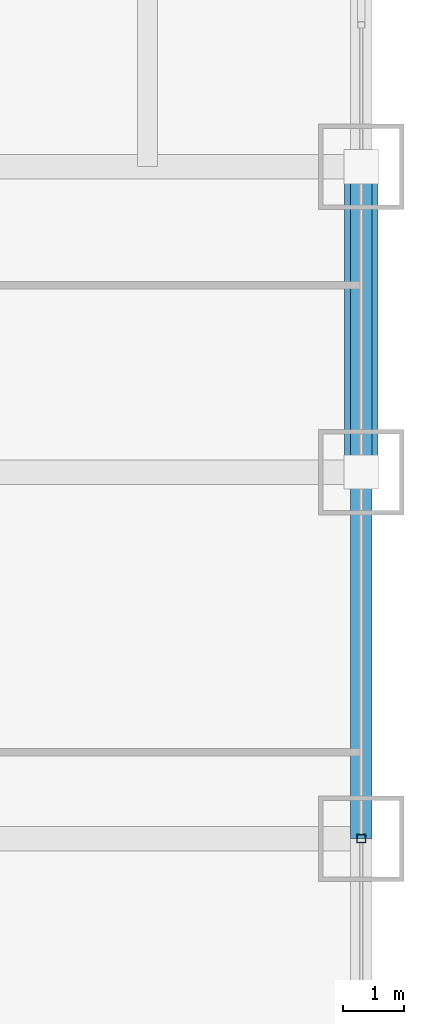
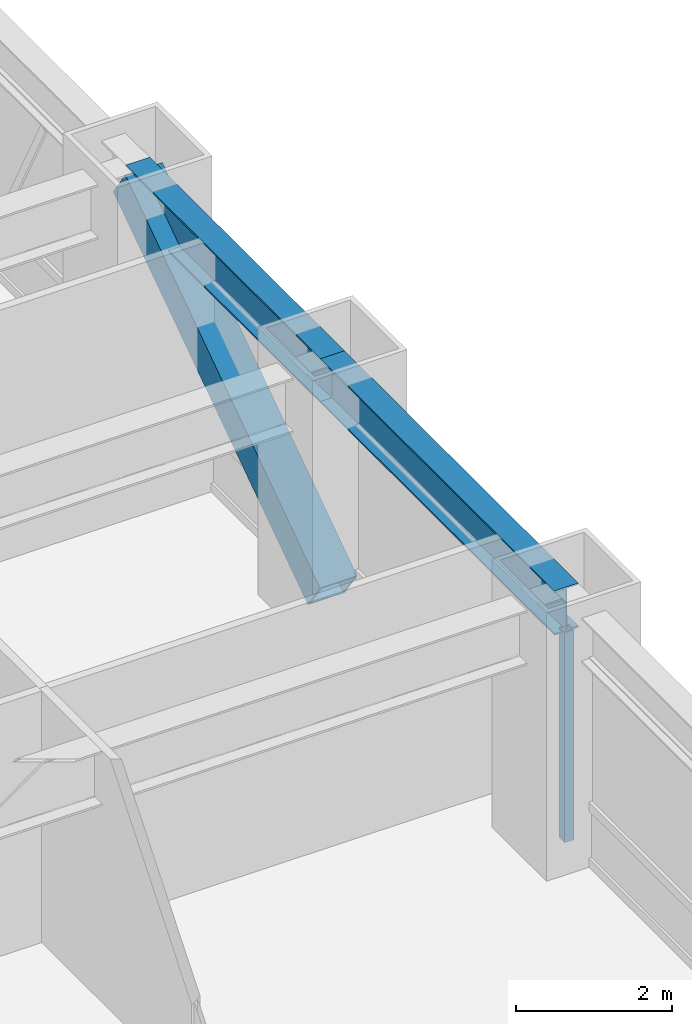
# One storey, part 14 of 28: 2 beams, 2 members, 1 element without a shape of its own.
"""IFC4 building model written with IfcOpenShell, lengths in metres."""

from ifc_helpers import new_model, si_unit, direction, frame, origin, origin_2d, place, context, subcontext, project, spatial, hollow_rectangle, i_section, extrude, source, transform, mapped, material, material_profile, profile_set, type_object, element, aggregate, save


model = new_model("IFC4")

# Units and contexts
model_context = context("Model", 3, precision=1e-05, world=origin(), true_north=direction((0.0, 1.0)))
body_context = subcontext(model_context, "Body", "Model", "MODEL_VIEW")
ifc_project = project(units=[si_unit("LENGTHUNIT", "METRE"), si_unit("AREAUNIT", "SQUARE_METRE"), si_unit("VOLUMEUNIT", "CUBIC_METRE"), si_unit("PLANEANGLEUNIT", "RADIAN"), si_unit("MASSUNIT", "GRAM", prefix="KILO")], contexts=[model_context])

# Site, building, storey
site_placement = place(None, origin())
site = spatial("IfcSite", under=ifc_project, at=site_placement, CompositionType="ELEMENT")
building_placement = place(site_placement, origin())
building = spatial("IfcBuilding", under=site, at=building_placement, Name="Khorayat Bourse Tower", CompositionType="ELEMENT")
storey_placement = place(building_placement, frame((0.0, 0.0, 83.0)))
storey = spatial("IfcBuildingStorey", under=building, at=storey_placement, Name="L18", CompositionType="ELEMENT", Elevation=83.0)

# Beams
ifc_material_1 = material(Name="Steel ASTM A992 Grade 50", Category="steel")
ifc_material_profile_1 = material_profile(ifc_material_1, i_section(OverallWidth=0.35498046875, OverallDepth=0.695068359375, WebThickness=0.015380859375, FlangeThickness=0.02490234375, FilletRadius=0.01806640625, at=origin_2d()), Name="W690X217")
ifc_profile_set_1 = profile_set([ifc_material_profile_1], Name="Steel ASTM A992 Grade 50")
beam_type = type_object("IfcBeamType", Name="BM-SPAN-690", PredefinedType="SPANDREL", material=ifc_profile_set_1)
shared_shape_1 = source(origin(), body_context, "Body", "SweptSolid", [
    extrude(i_section(OverallWidth=0.35498046875, OverallDepth=0.695068359375, WebThickness=0.015380859375, FlangeThickness=0.02490234375, FilletRadius=0.01806640625, at=origin_2d()), origin(), (0.0, 0.0, 1.0), 5.0),
])
beam_1_placement = place(storey_placement, frame((32.0, 6.0, 3.592529296875), z_axis=(0.0, 1.0, 0.0), x_axis=(-1.0, 0.0, 0.0)))
element("IfcBeam", 1, at=beam_1_placement, inside=storey, type_object=beam_type, Name="L18 BM-SPAN-690 BM-L18-SPN-039", PredefinedType="SPANDREL", context=body_context, shape_type="MappedRepresentation", body=[
    mapped(shared_shape_1, transform((0.0, 0.0, 0.0), scale=1.0)),
])
shared_shape_2 = source(origin(), body_context, "Body", "SweptSolid", [
    extrude(i_section(OverallWidth=0.35498046875, OverallDepth=0.695068359375, WebThickness=0.015380859375, FlangeThickness=0.02490234375, FilletRadius=0.01806640625, at=origin_2d()), origin(), (0.0, 0.0, 1.0), 6.0),
])
beam_2_placement = place(storey_placement, frame((32.0, 0.0, 3.592529296875), z_axis=(0.0, 1.0, 0.0), x_axis=(-1.0, 0.0, 0.0)))
element("IfcBeam", 2, at=beam_2_placement, inside=storey, type_object=beam_type, Name="L18 BM-SPAN-690 BM-L18-SPN-038", PredefinedType="SPANDREL", context=body_context, shape_type="MappedRepresentation", body=[
    mapped(shared_shape_2, transform((0.0, 0.0, 0.0), scale=1.0)),
])

# Member
ifc_material_2 = material(Name="Steel EN 10025-4 S460M", Category="steel")
ifc_material_profile_2 = material_profile(ifc_material_2, hollow_rectangle(XDim=0.550048828125, YDim=0.550048828125, WallThickness=0.031982421875, at=origin_2d()), Name="HSS 550x550x32")
ifc_profile_set_2 = profile_set([ifc_material_profile_2], Name="Steel EN 10025-4 S460M")
member_type_1 = type_object("IfcMemberType", Name="MBR-TUBE-550", PredefinedType="BRACE", material=ifc_profile_set_2)
shared_shape_3 = source(origin(), body_context, "Body", "SweptSolid", [
    extrude(hollow_rectangle(XDim=0.550048828125, YDim=0.550048828125, WallThickness=0.031982421875, at=origin_2d()), origin(), (0.0, 0.0, 1.0), 6.069091796875),
])
member_1_placement = place(storey_placement, frame((32.0, 6.0, 0.25), z_axis=(0.0, 0.823854080622, 0.566801952928), x_axis=(-1.0, 0.0, 0.0)))
element("IfcMember", 3, at=member_1_placement, inside=storey, type_object=member_type_1, Name="L18 Perimeter Tube Brace 08", PredefinedType="BRACE", context=body_context, shape_type="MappedRepresentation", body=[
    mapped(shared_shape_3, transform((0.0, 0.0, 0.0), scale=1.0)),
])

# Curtain wall, member
ifc_material_3 = material(Name="Aluminium EN AW-6063 T6", Category="aluminium")
curtain_wall_type = type_object("IfcCurtainWallType", Name="CW-SYS-02", PredefinedType="NOTDEFINED", material=ifc_material_3)
curtain_wall_placement = place(storey_placement, origin())
curtain_wall = element("IfcCurtainWall", 4, at=curtain_wall_placement, inside=storey, type_object=curtain_wall_type, Name="L18 Curtain Wall CW-L18-E1", PredefinedType="NOTDEFINED")
ifc_material_profile_3 = material_profile(ifc_material_3, hollow_rectangle(XDim=0.139892578125, YDim=0.139892578125, WallThickness=0.006103515625, at=origin_2d()), Name="ALU 140x140x6")
ifc_profile_set_3 = profile_set([ifc_material_profile_3], Name="Aluminium EN AW-6063 T6")
member_type_2 = type_object("IfcMemberType", Name="CWM-VERT-140", PredefinedType="MULLION", material=ifc_profile_set_3)
shared_shape_4 = source(origin(), body_context, "Body", "SweptSolid", [
    extrude(hollow_rectangle(XDim=0.139892578125, YDim=0.139892578125, WallThickness=0.006103515625, at=origin_2d()), origin(), (0.0, 0.0, 1.0), 3.2900390625),
])
member_2_placement = place(storey_placement, frame((32.0, 0.0, 0.0), z_axis=(0.0, 0.0, 1.0), x_axis=(-1.0, 0.0, 0.0)))
member_2 = element("IfcMember", 5, at=member_2_placement, type_object=member_type_2, Name="CW-L18-E1 Vertical Mullion 2", PredefinedType="MULLION", context=body_context, shape_type="MappedRepresentation", body=[
    mapped(shared_shape_4, transform((0.0, 0.0, 0.0), scale=1.0)),
])
aggregate(curtain_wall, [member_2])

save(model, "model.ifc")
